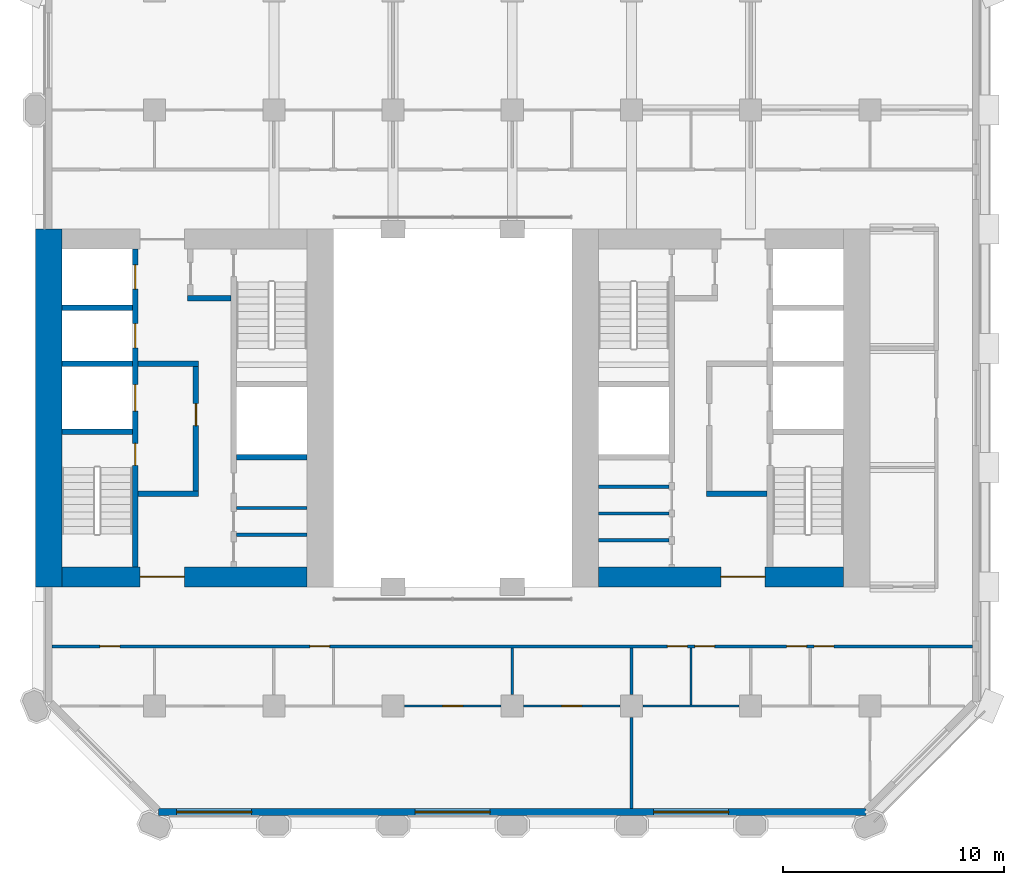
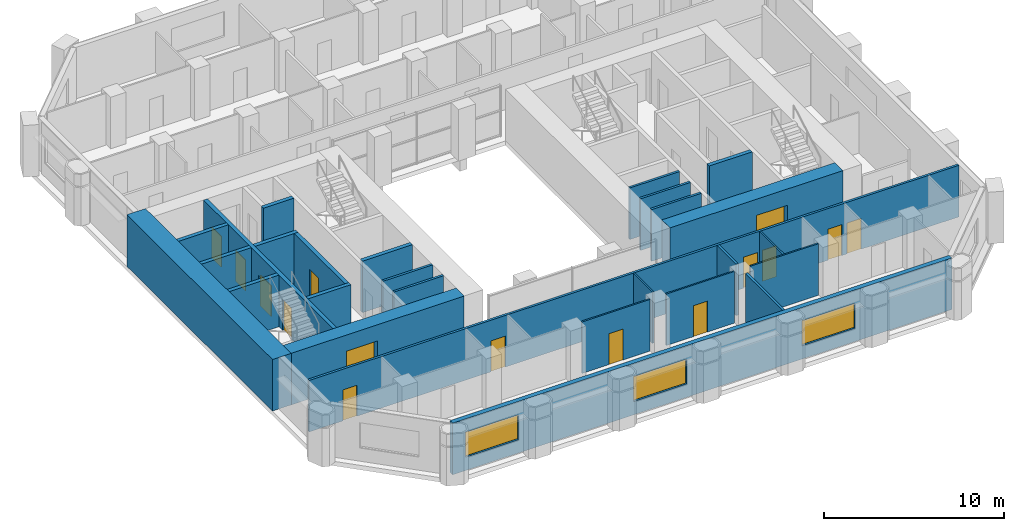
# One storey, part 4 of 11: 27 walls, 15 doors, 3 windows, 18 openings.
"""IFC4 building model written with IfcOpenShell, lengths in metres."""

from ifc_helpers import new_model, si_unit, direction, frame, frame_2d, origin, place, context, subcontext, project, spatial, rectangle, extrude, material, layer, layer_set, type_object, element, fill, save


model = new_model("IFC4")

# Units and contexts
model_context = context("Model", 3, precision=1e-05, world=origin(), true_north=direction((0.0, 1.0)))
body_context = subcontext(model_context, "Body", "Model", "MODEL_VIEW")
ifc_project = project(units=[si_unit("LENGTHUNIT", "METRE"), si_unit("AREAUNIT", "SQUARE_METRE"), si_unit("VOLUMEUNIT", "CUBIC_METRE"), si_unit("PLANEANGLEUNIT", "RADIAN"), si_unit("MASSUNIT", "GRAM", prefix="KILO")], contexts=[model_context])

# Site, building, storey
site_placement = place(None, origin())
site = spatial("IfcSite", under=ifc_project, at=site_placement, CompositionType="ELEMENT")
building_placement = place(site_placement, origin())
building = spatial("IfcBuilding", under=site, at=building_placement, Name="Tabaq Tower and Sports Hall", CompositionType="ELEMENT")
storey_placement = place(building_placement, frame((0.0, 0.0, 80.199951171875)))
storey = spatial("IfcBuildingStorey", under=building, at=storey_placement, Name="L18", CompositionType="ELEMENT", Elevation=80.199951171875)

# Walls
ifc_material_1 = material(Name="Blockwork", Category="masonry")
ifc_layer_1 = layer(ifc_material_1, 0.14990234375)
ifc_layer_set_1 = layer_set([ifc_layer_1], Name="Core room partition 150 Blockwork")
wall_type_1 = type_object("IfcWallType", Name="Core room partition 150 Blockwork", PredefinedType="PARTITIONING", material=ifc_layer_set_1)
for number, where, z_axis, x_axis, name in (
    (1, (14.5, 18.554931640625, 0.0), (0.0, 0.0, 1.0), (1.0, 0.0, 0.0), "Core room partition W L18"),
    (2, (14.5, 19.76708984375, 0.0), (0.0, 0.0, 1.0), (1.0, 0.0, 0.0), "Core room partition W L18"),
):
    element("IfcWall", number, at=place(storey_placement, frame(where, z_axis=z_axis, x_axis=x_axis)), inside=storey, type_object=wall_type_1, Name=name, PredefinedType="PARTITIONING", context=body_context, shape_type="SweptSolid", body=[
        extrude(rectangle(XDim=3.199951171875, YDim=0.14990234375, at=frame_2d((1.60009765625, 0.0))), origin(), (0.0, 0.0, 1.0), 3.5),
    ])
for number, where, z_axis, x_axis, name in (
    (3, (30.89990234375, 18.31201171875, 0.0), (0.0, 0.0, 1.0), (1.0, 0.0, 0.0), "Core room partition E L18"),
    (4, (30.89990234375, 19.52490234375, 0.0), (0.0, 0.0, 1.0), (1.0, 0.0, 0.0), "Core room partition E L18"),
    (5, (30.89990234375, 20.737060546875, 0.0), (0.0, 0.0, 1.0), (1.0, 0.0, 0.0), "Core room partition E L18"),
):
    element("IfcWall", number, at=place(storey_placement, frame(where, z_axis=z_axis, x_axis=x_axis)), inside=storey, type_object=wall_type_1, Name=name, PredefinedType="PARTITIONING", context=body_context, shape_type="SweptSolid", body=[
        extrude(rectangle(XDim=3.2001953125, YDim=0.14990234375, at=frame_2d((1.60009765625, 0.0))), origin(), (0.0, 0.0, 1.0), 3.5),
    ])
ifc_material_2 = material(Name="Concrete C60/75", Category="concrete")
ifc_layer_2 = layer(ifc_material_2, 1.199951171875)
ifc_layer_set_2 = layer_set([ifc_layer_2], Name="Core wall 1200 Concrete C60/75")
wall_type_2 = type_object("IfcWallType", Name="Core wall 1200 Concrete C60/75", PredefinedType="SOLIDWALL", material=ifc_layer_set_2)
wall_1_placement = place(storey_placement, frame((6.0, 16.199951171875, 0.0), z_axis=(0.0, 0.0, 1.0), x_axis=(0.0, 1.0, 0.0)))
element("IfcWall", 6, at=wall_1_placement, inside=storey, type_object=wall_type_2, Name="Core wall W L18", PredefinedType="SOLIDWALL", context=body_context, shape_type="SweptSolid", body=[
    extrude(rectangle(XDim=16.199951171875, YDim=1.199951171875, at=frame_2d((8.10009765625, 0.0))), origin(), (0.0, 0.0, 1.0), 3.5),
])

# Wall, opening, door
ifc_material_3 = material(Name="Concrete C60/75", Category="concrete")
ifc_layer_3 = layer(ifc_material_3, 0.89990234375)
ifc_layer_set_3 = layer_set([ifc_layer_3], Name="Core wall 900 Concrete C60/75")
wall_type_3 = type_object("IfcWallType", Name="Core wall 900 Concrete C60/75", PredefinedType="SOLIDWALL", material=ifc_layer_set_3)
wall_2_placement = place(storey_placement, frame((17.699951171875, 16.64990234375, 0.0), z_axis=(0.0, 0.0, 1.0), x_axis=(-1.0, 0.0, 0.0)))
wall_2 = element("IfcWall", 7, at=wall_2_placement, inside=storey, type_object=wall_type_3, Name="Core wall W L18", PredefinedType="SOLIDWALL", context=body_context, shape_type="SweptSolid", body=[
    extrude(rectangle(XDim=11.099853515625, YDim=0.89990234375, at=frame_2d((5.5498046875, 0.0))), origin(), (0.0, 0.0, 1.0), 3.5),
])
opening_1_placement = place(wall_2_placement, frame((5.550048828125, 0.0, 0.0)))
opening_1 = element("IfcOpeningElement", 8, at=opening_1_placement, cuts=wall_2, Name="Opening PD-WL18-01", PredefinedType="OPENING", context=body_context, shape_type="SweptSolid", body=[
    extrude(rectangle(XDim=2.0, YDim=2.39990234375, at=frame_2d((1.0, 1.199951171875))), frame((0.0, 0.449951171875, 0.0), z_axis=(0.0, -1.0, 0.0), x_axis=(1.0, 0.0, 0.0)), (0.0, 0.0, 1.0), 0.89990234375),
])
ifc_material_4 = material(Name="Steel fire door", Category="steel")
door_type_1 = type_object("IfcDoorType", Name="Core entrance door 2000", OperationType="DOUBLE_DOOR_SINGLE_SWING", PredefinedType="DOOR", material=ifc_material_4)
door_1_placement = place(opening_1_placement, origin())
door_1 = element("IfcDoor", 9, at=door_1_placement, inside=storey, type_object=door_type_1, Name="Core entrance south W L18", OperationType="DOUBLE_DOOR_SINGLE_SWING", OverallHeight=2.39990234375, OverallWidth=2.0, PredefinedType="DOOR", context=body_context, shape_type="SweptSolid", body=[
    extrude(rectangle(XDim=2.0, YDim=2.39990234375, at=frame_2d((1.0, 1.199951171875))), frame((0.0, 0.02490234375, 0.0), z_axis=(0.0, -1.0, 0.0), x_axis=(1.0, 0.0, 0.0)), (0.0, 0.0, 1.0), 0.050048828125),
])
fill(opening_1, door_1)

wall_3_placement = place(storey_placement, frame((42.0, 16.64990234375, 0.0), z_axis=(0.0, 0.0, 1.0), x_axis=(-1.0, 0.0, 0.0)))
wall_3 = element("IfcWall", 10, at=wall_3_placement, inside=storey, type_object=wall_type_3, Name="Core wall E L18", PredefinedType="SOLIDWALL", context=body_context, shape_type="SweptSolid", body=[
    extrude(rectangle(XDim=11.10009765625, YDim=0.89990234375, at=frame_2d((5.550048828125, 0.0))), origin(), (0.0, 0.0, 1.0), 3.5),
])
opening_2_placement = place(wall_3_placement, frame((3.550048828125, 0.0, 0.0)))
opening_2 = element("IfcOpeningElement", 11, at=opening_2_placement, cuts=wall_3, Name="Opening PD-EL18-01", PredefinedType="OPENING", context=body_context, shape_type="SweptSolid", body=[
    extrude(rectangle(XDim=2.0, YDim=2.39990234375, at=frame_2d((1.0, 1.199951171875))), frame((0.0, 0.449951171875, 0.0), z_axis=(0.0, -1.0, 0.0), x_axis=(1.0, 0.0, 0.0)), (0.0, 0.0, 1.0), 0.89990234375),
])
door_2_placement = place(opening_2_placement, origin())
door_2 = element("IfcDoor", 12, at=door_2_placement, inside=storey, type_object=door_type_1, Name="Core entrance south E L18", OperationType="DOUBLE_DOOR_SINGLE_SWING", OverallHeight=2.39990234375, OverallWidth=2.0, PredefinedType="DOOR", context=body_context, shape_type="SweptSolid", body=[
    extrude(rectangle(XDim=2.0, YDim=2.39990234375, at=frame_2d((1.0, 1.199951171875))), frame((0.0, 0.02490234375, 0.0), z_axis=(0.0, -1.0, 0.0), x_axis=(1.0, 0.0, 0.0)), (0.0, 0.0, 1.0), 0.050048828125),
])
fill(opening_2, door_2)

ifc_material_5 = material(Name="Gypsum board on steel studs", Category="steel")
ifc_layer_4 = layer(ifc_material_5, 0.10009765625)
ifc_layer_set_4 = layer_set([ifc_layer_4], Name="Partition 100 Gypsum board")
wall_type_4 = type_object("IfcWallType", Name="Partition 100 Gypsum board", PredefinedType="PARTITIONING", material=ifc_layer_set_4)
wall_4_placement = place(storey_placement, frame((22.1201171875, 10.800048828125, 0.0), z_axis=(0.0, 0.0, 1.0), x_axis=(1.0, 0.0, 0.0)))
wall_4 = element("IfcWall", 13, at=wall_4_placement, inside=storey, type_object=wall_type_4, Name="Partition wall L18", PredefinedType="PARTITIONING", context=body_context, shape_type="SweptSolid", body=[
    extrude(rectangle(XDim=4.35986328125, YDim=0.10009765625, at=frame_2d((2.179931640625, 0.0))), origin(), (0.0, 0.0, 1.0), 3.5),
])
opening_3_placement = place(wall_4_placement, frame((1.72998046875, 0.0, 0.0)))
opening_3 = element("IfcOpeningElement", 14, at=opening_3_placement, cuts=wall_4, Name="Opening L18-021", PredefinedType="OPENING", context=body_context, shape_type="SweptSolid", body=[
    extrude(rectangle(XDim=0.89990234375, YDim=2.10009765625, at=frame_2d((0.449951171875, 1.050048828125))), frame((0.0, 0.050048828125, 0.0), z_axis=(0.0, -1.0, 0.0), x_axis=(1.0, 0.0, 0.0)), (0.0, 0.0, 1.0), 0.10009765625),
])
ifc_material_6 = material(Name="Timber leaf in steel frame", Category="steel")
door_type_2 = type_object("IfcDoorType", Name="Internal door 900 left hand", OperationType="SINGLE_SWING_LEFT", PredefinedType="DOOR", material=ifc_material_6)
door_3_placement = place(opening_3_placement, origin())
door_3 = element("IfcDoor", 15, at=door_3_placement, inside=storey, type_object=door_type_2, Name="Internal door L18-021", OperationType="SINGLE_SWING_LEFT", OverallHeight=2.10009765625, OverallWidth=0.89990234375, PredefinedType="DOOR", context=body_context, shape_type="SweptSolid", body=[
    extrude(rectangle(XDim=0.89990234375, YDim=2.10009765625, at=frame_2d((0.449951171875, 1.050048828125))), frame((0.0, 0.02490234375, 0.0), z_axis=(0.0, -1.0, 0.0), x_axis=(1.0, 0.0, 0.0)), (0.0, 0.0, 1.0), 0.050048828125),
])
fill(opening_3, door_3)

# Wall
wall_5_placement = place(storey_placement, frame((27.0, 11.320068359375, 0.0), z_axis=(0.0, 0.0, 1.0), x_axis=(0.0, 1.0, 0.0)))
element("IfcWall", 16, at=wall_5_placement, inside=storey, type_object=wall_type_4, Name="Partition wall L18", PredefinedType="PARTITIONING", context=body_context, shape_type="SweptSolid", body=[
    extrude(rectangle(XDim=2.10498046875, YDim=0.10009765625, at=frame_2d((1.052490234375, 0.0))), origin(), (0.0, 0.0, 1.0), 3.5),
])

# Wall, opening, door
wall_6_placement = place(storey_placement, frame((27.52001953125, 10.800048828125, 0.0), z_axis=(0.0, 0.0, 1.0), x_axis=(1.0, 0.0, 0.0)))
wall_6 = element("IfcWall", 17, at=wall_6_placement, inside=storey, type_object=wall_type_4, Name="Partition wall L18", PredefinedType="PARTITIONING", context=body_context, shape_type="SweptSolid", body=[
    extrude(rectangle(XDim=4.35986328125, YDim=0.10009765625, at=frame_2d((2.179931640625, 0.0))), origin(), (0.0, 0.0, 1.0), 3.5),
])
opening_4_placement = place(wall_6_placement, frame((1.72998046875, 0.0, 0.0)))
opening_4 = element("IfcOpeningElement", 18, at=opening_4_placement, cuts=wall_6, Name="Opening L18-022", PredefinedType="OPENING", context=body_context, shape_type="SweptSolid", body=[
    extrude(rectangle(XDim=0.89990234375, YDim=2.10009765625, at=frame_2d((0.449951171875, 1.050048828125))), frame((0.0, 0.050048828125, 0.0), z_axis=(0.0, -1.0, 0.0), x_axis=(1.0, 0.0, 0.0)), (0.0, 0.0, 1.0), 0.10009765625),
])
ifc_material_7 = material(Name="Timber leaf in steel frame", Category="steel")
door_type_3 = type_object("IfcDoorType", Name="Internal door 900 right hand", OperationType="SINGLE_SWING_RIGHT", PredefinedType="DOOR", material=ifc_material_7)
door_4_placement = place(opening_4_placement, origin())
door_4 = element("IfcDoor", 19, at=door_4_placement, inside=storey, type_object=door_type_3, Name="Internal door L18-022", OperationType="SINGLE_SWING_RIGHT", OverallHeight=2.10009765625, OverallWidth=0.89990234375, PredefinedType="DOOR", context=body_context, shape_type="SweptSolid", body=[
    extrude(rectangle(XDim=0.89990234375, YDim=2.10009765625, at=frame_2d((0.449951171875, 1.050048828125))), frame((0.0, 0.02490234375, 0.0), z_axis=(0.0, -1.0, 0.0), x_axis=(1.0, 0.0, 0.0)), (0.0, 0.0, 1.0), 0.050048828125),
])
fill(opening_4, door_4)

# Walls
wall_7_placement = place(storey_placement, frame((35.10009765625, 10.85009765625, 0.0), z_axis=(0.0, 0.0, 1.0), x_axis=(0.0, 1.0, 0.0)))
element("IfcWall", 20, at=wall_7_placement, inside=storey, type_object=wall_type_4, Name="Partition wall L18", PredefinedType="PARTITIONING", context=body_context, shape_type="SweptSolid", body=[
    extrude(rectangle(XDim=2.574951171875, YDim=0.10009765625, at=frame_2d((1.28759765625, 0.0))), origin(), (0.0, 0.0, 1.0), 3.5),
])
wall_8_placement = place(storey_placement, frame((32.919921875, 10.800048828125, 0.0), z_axis=(0.0, 0.0, 1.0), x_axis=(1.0, 0.0, 0.0)))
element("IfcWall", 21, at=wall_8_placement, inside=storey, type_object=wall_type_4, Name="Partition wall L18", PredefinedType="PARTITIONING", context=body_context, shape_type="SweptSolid", body=[
    extrude(rectangle(XDim=4.360107421875, YDim=0.10009765625, at=frame_2d((2.18017578125, 0.0))), origin(), (0.0, 0.0, 1.0), 3.5),
])

# Wall, openings, doors
ifc_material_8 = material(Name="Blockwork", Category="masonry")
ifc_layer_5 = layer(ifc_material_8, 0.14990234375)
ifc_layer_set_5 = layer_set([ifc_layer_5], Name="Separating wall 150 Blockwork")
wall_type_5 = type_object("IfcWallType", Name="Separating wall 150 Blockwork", PredefinedType="PARTITIONING", material=ifc_layer_set_5)
wall_9_placement = place(storey_placement, frame((6.15087890625, 13.5, 0.0), z_axis=(0.0, 0.0, 1.0), x_axis=(1.0, 0.0, 0.0)))
wall_9 = element("IfcWall", 22, at=wall_9_placement, inside=storey, type_object=wall_type_5, Name="Separating wall L18", PredefinedType="PARTITIONING", context=body_context, shape_type="SweptSolid", body=[
    extrude(rectangle(XDim=41.6982421875, YDim=0.14990234375, at=frame_2d((20.84912109375, 0.0))), origin(), (0.0, 0.0, 1.0), 3.5),
])
opening_5_placement = place(wall_9_placement, frame((11.678955078125, 0.0, 0.0)))
opening_5 = element("IfcOpeningElement", 23, at=opening_5_placement, cuts=wall_9, Name="Opening L18-005", PredefinedType="OPENING", context=body_context, shape_type="SweptSolid", body=[
    extrude(rectangle(XDim=0.89990234375, YDim=2.10009765625, at=frame_2d((0.449951171875, 1.050048828125))), frame((0.0, 0.074951171875, 0.0), z_axis=(0.0, -1.0, 0.0), x_axis=(1.0, 0.0, 0.0)), (0.0, 0.0, 1.0), 0.14990234375),
])
opening_6_placement = place(wall_9_placement, frame((27.87890625, 0.0, 0.0)))
opening_6 = element("IfcOpeningElement", 24, at=opening_6_placement, cuts=wall_9, Name="Opening L18-006", PredefinedType="OPENING", context=body_context, shape_type="SweptSolid", body=[
    extrude(rectangle(XDim=0.89990234375, YDim=2.10009765625, at=frame_2d((0.449951171875, 1.050048828125))), frame((0.0, 0.074951171875, 0.0), z_axis=(0.0, -1.0, 0.0), x_axis=(1.0, 0.0, 0.0)), (0.0, 0.0, 1.0), 0.14990234375),
])
opening_7_placement = place(wall_9_placement, frame((29.118896484375, 0.0, 0.0)))
opening_7 = element("IfcOpeningElement", 25, at=opening_7_placement, cuts=wall_9, Name="Opening L18-007", PredefinedType="OPENING", context=body_context, shape_type="SweptSolid", body=[
    extrude(rectangle(XDim=0.89990234375, YDim=2.10009765625, at=frame_2d((0.449951171875, 1.050048828125))), frame((0.0, 0.074951171875, 0.0), z_axis=(0.0, -1.0, 0.0), x_axis=(1.0, 0.0, 0.0)), (0.0, 0.0, 1.0), 0.14990234375),
])
opening_8_placement = place(wall_9_placement, frame((33.279052734375, 0.0, 0.0)))
opening_8 = element("IfcOpeningElement", 26, at=opening_8_placement, cuts=wall_9, Name="Opening L18-008", PredefinedType="OPENING", context=body_context, shape_type="SweptSolid", body=[
    extrude(rectangle(XDim=0.89990234375, YDim=2.10009765625, at=frame_2d((0.449951171875, 1.050048828125))), frame((0.0, 0.074951171875, 0.0), z_axis=(0.0, -1.0, 0.0), x_axis=(1.0, 0.0, 0.0)), (0.0, 0.0, 1.0), 0.14990234375),
])
opening_9_placement = place(wall_9_placement, frame((2.174072265625, 0.0, 0.0)))
opening_9 = element("IfcOpeningElement", 27, at=opening_9_placement, cuts=wall_9, Name="Opening L18-028", PredefinedType="OPENING", context=body_context, shape_type="SweptSolid", body=[
    extrude(rectangle(XDim=0.89990234375, YDim=2.10009765625, at=frame_2d((0.449951171875, 1.050048828125))), frame((0.0, 0.074951171875, 0.0), z_axis=(0.0, -1.0, 0.0), x_axis=(1.0, 0.0, 0.0)), (0.0, 0.0, 1.0), 0.14990234375),
])
opening_10_placement = place(wall_9_placement, frame((34.51904296875, 0.0, 0.0)))
opening_10 = element("IfcOpeningElement", 28, at=opening_10_placement, cuts=wall_9, Name="Opening L18-034", PredefinedType="OPENING", context=body_context, shape_type="SweptSolid", body=[
    extrude(rectangle(XDim=0.89990234375, YDim=2.10009765625, at=frame_2d((0.449951171875, 1.050048828125))), frame((0.0, 0.074951171875, 0.0), z_axis=(0.0, -1.0, 0.0), x_axis=(1.0, 0.0, 0.0)), (0.0, 0.0, 1.0), 0.14990234375),
])
ifc_material_9 = material(Name="Steel fire door", Category="steel")
door_type_4 = type_object("IfcDoorType", Name="Entrance door 900 right hand", OperationType="SINGLE_SWING_RIGHT", PredefinedType="DOOR", material=ifc_material_9)
door_5_placement = place(opening_5_placement, origin())
door_5 = element("IfcDoor", 29, at=door_5_placement, inside=storey, type_object=door_type_4, Name="Entrance door L18-005", OperationType="SINGLE_SWING_RIGHT", OverallHeight=2.10009765625, OverallWidth=0.89990234375, PredefinedType="DOOR", context=body_context, shape_type="SweptSolid", body=[
    extrude(rectangle(XDim=0.89990234375, YDim=2.10009765625, at=frame_2d((0.449951171875, 1.050048828125))), frame((0.0, 0.02490234375, 0.0), z_axis=(0.0, -1.0, 0.0), x_axis=(1.0, 0.0, 0.0)), (0.0, 0.0, 1.0), 0.050048828125),
])
fill(opening_5, door_5)
door_6_placement = place(opening_6_placement, origin())
door_6 = element("IfcDoor", 30, at=door_6_placement, inside=storey, type_object=door_type_4, Name="Entrance door L18-006", OperationType="SINGLE_SWING_RIGHT", OverallHeight=2.10009765625, OverallWidth=0.89990234375, PredefinedType="DOOR", context=body_context, shape_type="SweptSolid", body=[
    extrude(rectangle(XDim=0.89990234375, YDim=2.10009765625, at=frame_2d((0.449951171875, 1.050048828125))), frame((0.0, 0.02490234375, 0.0), z_axis=(0.0, -1.0, 0.0), x_axis=(1.0, 0.0, 0.0)), (0.0, 0.0, 1.0), 0.050048828125),
])
fill(opening_6, door_6)
door_7_placement = place(opening_7_placement, origin())
door_7 = element("IfcDoor", 31, at=door_7_placement, inside=storey, type_object=door_type_4, Name="Entrance door L18-007", OperationType="SINGLE_SWING_RIGHT", OverallHeight=2.10009765625, OverallWidth=0.89990234375, PredefinedType="DOOR", context=body_context, shape_type="SweptSolid", body=[
    extrude(rectangle(XDim=0.89990234375, YDim=2.10009765625, at=frame_2d((0.449951171875, 1.050048828125))), frame((0.0, 0.02490234375, 0.0), z_axis=(0.0, -1.0, 0.0), x_axis=(1.0, 0.0, 0.0)), (0.0, 0.0, 1.0), 0.050048828125),
])
fill(opening_7, door_7)
door_8_placement = place(opening_8_placement, origin())
door_8 = element("IfcDoor", 32, at=door_8_placement, inside=storey, type_object=door_type_4, Name="Entrance door L18-008", OperationType="SINGLE_SWING_RIGHT", OverallHeight=2.10009765625, OverallWidth=0.89990234375, PredefinedType="DOOR", context=body_context, shape_type="SweptSolid", body=[
    extrude(rectangle(XDim=0.89990234375, YDim=2.10009765625, at=frame_2d((0.449951171875, 1.050048828125))), frame((0.0, 0.02490234375, 0.0), z_axis=(0.0, -1.0, 0.0), x_axis=(1.0, 0.0, 0.0)), (0.0, 0.0, 1.0), 0.050048828125),
])
fill(opening_8, door_8)
door_9_placement = place(opening_9_placement, origin())
door_9 = element("IfcDoor", 33, at=door_9_placement, inside=storey, type_object=door_type_4, Name="Entrance door L18-028", OperationType="SINGLE_SWING_RIGHT", OverallHeight=2.10009765625, OverallWidth=0.89990234375, PredefinedType="DOOR", context=body_context, shape_type="SweptSolid", body=[
    extrude(rectangle(XDim=0.89990234375, YDim=2.10009765625, at=frame_2d((0.449951171875, 1.050048828125))), frame((0.0, 0.02490234375, 0.0), z_axis=(0.0, -1.0, 0.0), x_axis=(1.0, 0.0, 0.0)), (0.0, 0.0, 1.0), 0.050048828125),
])
fill(opening_9, door_9)
door_10_placement = place(opening_10_placement, origin())
door_10 = element("IfcDoor", 34, at=door_10_placement, inside=storey, type_object=door_type_4, Name="Entrance door L18-034", OperationType="SINGLE_SWING_RIGHT", OverallHeight=2.10009765625, OverallWidth=0.89990234375, PredefinedType="DOOR", context=body_context, shape_type="SweptSolid", body=[
    extrude(rectangle(XDim=0.89990234375, YDim=2.10009765625, at=frame_2d((0.449951171875, 1.050048828125))), frame((0.0, 0.02490234375, 0.0), z_axis=(0.0, -1.0, 0.0), x_axis=(1.0, 0.0, 0.0)), (0.0, 0.0, 1.0), 0.050048828125),
])
fill(opening_10, door_10)

# Walls
wall_10_placement = place(storey_placement, frame((32.39990234375, 11.320068359375, 0.0), z_axis=(0.0, 0.0, 1.0), x_axis=(0.0, 1.0, 0.0)))
element("IfcWall", 35, at=wall_10_placement, inside=storey, type_object=wall_type_5, Name="Separating wall L18", PredefinedType="PARTITIONING", context=body_context, shape_type="SweptSolid", body=[
    extrude(rectangle(XDim=2.10498046875, YDim=0.14990234375, at=frame_2d((1.052490234375, 0.0))), origin(), (0.0, 0.0, 1.0), 3.5),
])
wall_11_placement = place(storey_placement, frame((32.39990234375, 6.15087890625, 0.0), z_axis=(0.0, 0.0, 1.0), x_axis=(0.0, 1.0, 0.0)))
element("IfcWall", 36, at=wall_11_placement, inside=storey, type_object=wall_type_5, Name="Separating wall L18", PredefinedType="PARTITIONING", context=body_context, shape_type="SweptSolid", body=[
    extrude(rectangle(XDim=4.129150390625, YDim=0.14990234375, at=frame_2d((2.064453125, 0.0))), origin(), (0.0, 0.0, 1.0), 3.5),
])

# Wall, openings, doors
ifc_material_10 = material(Name="Concrete C40/50", Category="concrete")
ifc_layer_6 = layer(ifc_material_10, 0.25)
ifc_layer_set_6 = layer_set([ifc_layer_6], Name="Shaft and stair wall 250 Concrete C40/50")
wall_type_6 = type_object("IfcWallType", Name="Shaft and stair wall 250 Concrete C40/50", PredefinedType="SOLIDWALL", material=ifc_layer_set_6)
wall_12_placement = place(storey_placement, frame((9.925048828125, 17.10009765625, 0.0), z_axis=(0.0, 0.0, 1.0), x_axis=(0.0, 1.0, 0.0)))
wall_12 = element("IfcWall", 37, at=wall_12_placement, inside=storey, type_object=wall_type_6, Name="Shaft wall W L18", PredefinedType="SOLIDWALL", context=body_context, shape_type="SweptSolid", body=[
    extrude(rectangle(XDim=14.39990234375, YDim=0.25, at=frame_2d((7.199951171875, 0.0))), origin(), (0.0, 0.0, 1.0), 3.5),
])
opening_11_placement = place(wall_12_placement, frame((4.60009765625, 0.0, 0.0)))
opening_11 = element("IfcOpeningElement", 38, at=opening_11_placement, cuts=wall_12, Name="Opening SD-WL18-03", PredefinedType="OPENING", context=body_context, shape_type="SweptSolid", body=[
    extrude(rectangle(XDim=1.0, YDim=2.10009765625, at=frame_2d((0.5, 1.050048828125))), frame((0.0, 0.125, 0.0), z_axis=(0.0, -1.0, 0.0), x_axis=(1.0, 0.0, 0.0)), (0.0, 0.0, 1.0), 0.25),
])
opening_12_placement = place(wall_12_placement, frame((7.0625, 0.0, 0.0)))
opening_12 = element("IfcOpeningElement", 39, at=opening_12_placement, cuts=wall_12, Name="Opening LD-FF1-L18", PredefinedType="OPENING", context=body_context, shape_type="SweptSolid", body=[
    extrude(rectangle(XDim=1.199951171875, YDim=2.10009765625, at=frame_2d((0.60009765625, 1.050048828125))), frame((0.0, 0.125, 0.0), z_axis=(0.0, -1.0, 0.0), x_axis=(1.0, 0.0, 0.0)), (0.0, 0.0, 1.0), 0.25),
])
opening_13_placement = place(wall_12_placement, frame((9.925048828125, 0.0, 0.0)))
opening_13 = element("IfcOpeningElement", 40, at=opening_13_placement, cuts=wall_12, Name="Opening LD-LR1-L18", PredefinedType="OPENING", context=body_context, shape_type="SweptSolid", body=[
    extrude(rectangle(XDim=1.10009765625, YDim=2.10009765625, at=frame_2d((0.550048828125, 1.050048828125))), frame((0.0, 0.125, 0.0), z_axis=(0.0, -1.0, 0.0), x_axis=(1.0, 0.0, 0.0)), (0.0, 0.0, 1.0), 0.25),
])
opening_14_placement = place(wall_12_placement, frame((12.58740234375, 0.0, 0.0)))
opening_14 = element("IfcOpeningElement", 41, at=opening_14_placement, cuts=wall_12, Name="Opening LD-LR2-L18", PredefinedType="OPENING", context=body_context, shape_type="SweptSolid", body=[
    extrude(rectangle(XDim=1.10009765625, YDim=2.10009765625, at=frame_2d((0.550048828125, 1.050048828125))), frame((0.0, 0.125, 0.0), z_axis=(0.0, -1.0, 0.0), x_axis=(1.0, 0.0, 0.0)), (0.0, 0.0, 1.0), 0.25),
])
ifc_material_11 = material(Name="Stainless steel", Category="steel")
door_type_5 = type_object("IfcDoorType", Name="Lift landing door 1100", OperationType="DOUBLE_DOOR_SLIDING", PredefinedType="DOOR", material=ifc_material_11)
door_11_placement = place(opening_13_placement, origin())
door_11 = element("IfcDoor", 42, at=door_11_placement, inside=storey, type_object=door_type_5, Name="Lift landing door LR1 W L18", OperationType="DOUBLE_DOOR_SLIDING", OverallHeight=2.10009765625, OverallWidth=1.10009765625, PredefinedType="DOOR", context=body_context, shape_type="SweptSolid", body=[
    extrude(rectangle(XDim=1.10009765625, YDim=2.10009765625, at=frame_2d((0.550048828125, 1.050048828125))), frame((0.0, 0.02490234375, 0.0), z_axis=(0.0, -1.0, 0.0), x_axis=(1.0, 0.0, 0.0)), (0.0, 0.0, 1.0), 0.050048828125),
])
fill(opening_13, door_11)
door_12_placement = place(opening_14_placement, origin())
door_12 = element("IfcDoor", 43, at=door_12_placement, inside=storey, type_object=door_type_5, Name="Lift landing door LR2 W L18", OperationType="DOUBLE_DOOR_SLIDING", OverallHeight=2.10009765625, OverallWidth=1.10009765625, PredefinedType="DOOR", context=body_context, shape_type="SweptSolid", body=[
    extrude(rectangle(XDim=1.10009765625, YDim=2.10009765625, at=frame_2d((0.550048828125, 1.050048828125))), frame((0.0, 0.02490234375, 0.0), z_axis=(0.0, -1.0, 0.0), x_axis=(1.0, 0.0, 0.0)), (0.0, 0.0, 1.0), 0.050048828125),
])
fill(opening_14, door_12)
ifc_material_12 = material(Name="Stainless steel", Category="steel")
door_type_6 = type_object("IfcDoorType", Name="Lift landing door 1200", OperationType="DOUBLE_DOOR_SLIDING", PredefinedType="DOOR", material=ifc_material_12)
door_13_placement = place(opening_12_placement, origin())
door_13 = element("IfcDoor", 44, at=door_13_placement, inside=storey, type_object=door_type_6, Name="Lift landing door FF1 W L18", OperationType="DOUBLE_DOOR_SLIDING", OverallHeight=2.10009765625, OverallWidth=1.199951171875, PredefinedType="DOOR", context=body_context, shape_type="SweptSolid", body=[
    extrude(rectangle(XDim=1.199951171875, YDim=2.10009765625, at=frame_2d((0.60009765625, 1.050048828125))), frame((0.0, 0.02490234375, 0.0), z_axis=(0.0, -1.0, 0.0), x_axis=(1.0, 0.0, 0.0)), (0.0, 0.0, 1.0), 0.050048828125),
])
fill(opening_12, door_13)
ifc_material_13 = material(Name="Steel fire door", Category="steel")
door_type_7 = type_object("IfcDoorType", Name="Stair door 1000", OperationType="SINGLE_SWING_LEFT", PredefinedType="DOOR", material=ifc_material_13)
door_14_placement = place(opening_11_placement, origin())
door_14 = element("IfcDoor", 45, at=door_14_placement, inside=storey, type_object=door_type_7, Name="Stair door ST1 W L18", OperationType="SINGLE_SWING_LEFT", OverallHeight=2.10009765625, OverallWidth=1.0, PredefinedType="DOOR", context=body_context, shape_type="SweptSolid", body=[
    extrude(rectangle(XDim=1.0, YDim=2.10009765625, at=frame_2d((0.5, 1.050048828125))), frame((0.0, 0.02490234375, 0.0), z_axis=(0.0, -1.0, 0.0), x_axis=(1.0, 0.0, 0.0)), (0.0, 0.0, 1.0), 0.050048828125),
])
fill(opening_11, door_14)

# Walls
for number, where, z_axis, x_axis, name in (
    (46, (6.60009765625, 23.22509765625, 0.0), (0.0, 0.0, 1.0), (1.0, 0.0, 0.0), "Stair enclosure wall W L18"),
    (47, (14.5, 22.074951171875, 0.0), (0.0, 0.0, 1.0), (1.0, 0.0, 0.0), "Shaft wall W L18"),
    (48, (6.60009765625, 26.300048828125, 0.0), (0.0, 0.0, 1.0), (1.0, 0.0, 0.0), "Shaft wall W L18"),
):
    element("IfcWall", number, at=place(storey_placement, frame(where, z_axis=z_axis, x_axis=x_axis)), inside=storey, type_object=wall_type_6, Name=name, PredefinedType="SOLIDWALL", context=body_context, shape_type="SweptSolid", body=[
        extrude(rectangle(XDim=3.199951171875, YDim=0.25, at=frame_2d((1.60009765625, 0.0))), origin(), (0.0, 0.0, 1.0), 3.5),
    ])
for number, where, z_axis, x_axis, name in (
    (49, (10.050048828125, 26.300048828125, 0.0), (0.0, 0.0, 1.0), (1.0, 0.0, 0.0), "Fire-fighting lobby wall W L18"),
    (50, (10.050048828125, 20.425048828125, 0.0), (0.0, 0.0, 1.0), (1.0, 0.0, 0.0), "Fire-fighting lobby wall W L18"),
):
    element("IfcWall", number, at=place(storey_placement, frame(where, z_axis=z_axis, x_axis=x_axis)), inside=storey, type_object=wall_type_6, Name=name, PredefinedType="SOLIDWALL", context=body_context, shape_type="SweptSolid", body=[
        extrude(rectangle(XDim=2.75, YDim=0.25, at=frame_2d((1.375, 0.0))), origin(), (0.0, 0.0, 1.0), 3.5),
    ])
wall_13_placement = place(storey_placement, frame((12.300048828125, 29.27490234375, 0.0), z_axis=(0.0, 0.0, 1.0), x_axis=(1.0, 0.0, 0.0)))
element("IfcWall", 51, at=wall_13_placement, inside=storey, type_object=wall_type_6, Name="Fire-fighting lobby wall W L18", PredefinedType="SOLIDWALL", context=body_context, shape_type="SweptSolid", body=[
    extrude(rectangle(XDim=1.949951171875, YDim=0.25, at=frame_2d((0.97509765625, 0.0))), origin(), (0.0, 0.0, 1.0), 3.5),
])

# Wall, opening, door
wall_14_placement = place(storey_placement, frame((12.675048828125, 20.550048828125, 0.0), z_axis=(0.0, 0.0, 1.0), x_axis=(0.0, 1.0, 0.0)))
wall_14 = element("IfcWall", 52, at=wall_14_placement, inside=storey, type_object=wall_type_6, Name="Fire-fighting lobby wall W L18", PredefinedType="SOLIDWALL", context=body_context, shape_type="SweptSolid", body=[
    extrude(rectangle(XDim=5.625, YDim=0.25, at=frame_2d((2.8125, 0.0))), origin(), (0.0, 0.0, 1.0), 3.5),
])
opening_15_placement = place(wall_14_placement, frame((2.949951171875, 0.0, 0.0)))
opening_15 = element("IfcOpeningElement", 53, at=opening_15_placement, cuts=wall_14, Name="Opening FD-WL18-04", PredefinedType="OPENING", context=body_context, shape_type="SweptSolid", body=[
    extrude(rectangle(XDim=1.0, YDim=2.10009765625, at=frame_2d((0.5, 1.050048828125))), frame((0.0, 0.125, 0.0), z_axis=(0.0, -1.0, 0.0), x_axis=(1.0, 0.0, 0.0)), (0.0, 0.0, 1.0), 0.25),
])
ifc_material_14 = material(Name="Steel fire door", Category="steel")
door_type_8 = type_object("IfcDoorType", Name="Fire-fighting lobby door 1000", OperationType="SINGLE_SWING_LEFT", PredefinedType="DOOR", material=ifc_material_14)
door_15_placement = place(opening_15_placement, origin())
door_15 = element("IfcDoor", 54, at=door_15_placement, inside=storey, type_object=door_type_8, Name="Fire-fighting lobby door W L18", OperationType="SINGLE_SWING_LEFT", OverallHeight=2.10009765625, OverallWidth=1.0, PredefinedType="DOOR", context=body_context, shape_type="SweptSolid", body=[
    extrude(rectangle(XDim=1.0, YDim=2.10009765625, at=frame_2d((0.5, 1.050048828125))), frame((0.0, 0.02490234375, 0.0), z_axis=(0.0, -1.0, 0.0), x_axis=(1.0, 0.0, 0.0)), (0.0, 0.0, 1.0), 0.050048828125),
])
fill(opening_15, door_15)

# Walls
wall_15_placement = place(storey_placement, frame((6.60009765625, 28.85009765625, 0.0), z_axis=(0.0, 0.0, 1.0), x_axis=(1.0, 0.0, 0.0)))
element("IfcWall", 55, at=wall_15_placement, inside=storey, type_object=wall_type_6, Name="Shaft wall W L18", PredefinedType="SOLIDWALL", context=body_context, shape_type="SweptSolid", body=[
    extrude(rectangle(XDim=3.199951171875, YDim=0.25, at=frame_2d((1.60009765625, 0.0))), origin(), (0.0, 0.0, 1.0), 3.5),
])
wall_16_placement = place(storey_placement, frame((35.800048828125, 20.425048828125, 0.0), z_axis=(0.0, 0.0, 1.0), x_axis=(1.0, 0.0, 0.0)))
element("IfcWall", 56, at=wall_16_placement, inside=storey, type_object=wall_type_6, Name="Fire-fighting lobby wall E L18", PredefinedType="SOLIDWALL", context=body_context, shape_type="SweptSolid", body=[
    extrude(rectangle(XDim=2.75, YDim=0.25, at=frame_2d((1.375, 0.0))), origin(), (0.0, 0.0, 1.0), 3.5),
])

# Wall, openings, windows
ifc_material_15 = material(Name="White precast concrete C60/75", Category="concrete")
ifc_layer_7 = layer(ifc_material_15, 0.300048828125)
ifc_layer_set_7 = layer_set([ifc_layer_7], Name="White precast concrete C60/75 external wall 300")
wall_type_7 = type_object("IfcWallType", Name="White precast concrete C60/75 external wall 300", PredefinedType="SOLIDWALL", material=ifc_layer_set_7)
wall_17_placement = place(storey_placement, frame((10.986328125, 6.0, 0.0), z_axis=(0.0, 0.0, 1.0), x_axis=(1.0, 0.0, 0.0)))
wall_17 = element("IfcWall", 57, at=wall_17_placement, inside=storey, type_object=wall_type_7, Name="External Wall L18 S", PredefinedType="SOLIDWALL", context=body_context, shape_type="SweptSolid", body=[
    extrude(rectangle(XDim=32.02734375, YDim=0.300048828125, at=frame_2d((16.013671875, 0.0))), origin(), (0.0, 0.0, 1.0), 3.5),
])
opening_16_placement = place(wall_17_placement, frame((0.813720703125, 0.0, 0.89990234375)))
opening_16 = element("IfcOpeningElement", 58, at=opening_16_placement, cuts=wall_17, Name="Opening W1A", PredefinedType="OPENING", context=body_context, shape_type="SweptSolid", body=[
    extrude(rectangle(XDim=3.39990234375, YDim=1.699951171875, at=frame_2d((1.699951171875, 0.85009765625))), frame((0.0, 0.16015625, 0.0), z_axis=(0.0, -1.0, 0.0), x_axis=(1.0, 0.0, 0.0)), (0.0, 0.0, 1.0), 0.320068359375),
])
opening_17_placement = place(wall_17_placement, frame((11.613525390625, 0.0, 0.89990234375)))
opening_17 = element("IfcOpeningElement", 59, at=opening_17_placement, cuts=wall_17, Name="Opening W1A", PredefinedType="OPENING", context=body_context, shape_type="SweptSolid", body=[
    extrude(rectangle(XDim=3.39990234375, YDim=1.699951171875, at=frame_2d((1.699951171875, 0.85009765625))), frame((0.0, 0.16015625, 0.0), z_axis=(0.0, -1.0, 0.0), x_axis=(1.0, 0.0, 0.0)), (0.0, 0.0, 1.0), 0.320068359375),
])
opening_18_placement = place(wall_17_placement, frame((22.41357421875, 0.0, 0.89990234375)))
opening_18 = element("IfcOpeningElement", 60, at=opening_18_placement, cuts=wall_17, Name="Opening W1A", PredefinedType="OPENING", context=body_context, shape_type="SweptSolid", body=[
    extrude(rectangle(XDim=3.39990234375, YDim=1.699951171875, at=frame_2d((1.699951171875, 0.85009765625))), frame((0.0, 0.16015625, 0.0), z_axis=(0.0, -1.0, 0.0), x_axis=(1.0, 0.0, 0.0)), (0.0, 0.0, 1.0), 0.320068359375),
])
ifc_material_16 = material(Name="Aluminium framed clear glazing", Category="aluminium")
window_type = type_object("IfcWindowType", Name="Window W1A", PartitioningType="SINGLE_PANEL", PredefinedType="WINDOW", material=ifc_material_16)
window_1_placement = place(opening_16_placement, origin())
window_1 = element("IfcWindow", 61, at=window_1_placement, inside=storey, type_object=window_type, Name="Window W1A L18", OverallHeight=1.699951171875, OverallWidth=3.39990234375, PartitioningType="SINGLE_PANEL", PredefinedType="WINDOW", context=body_context, shape_type="SweptSolid", body=[
    extrude(rectangle(XDim=3.39990234375, YDim=1.699951171875, at=frame_2d((1.699951171875, 0.85009765625))), frame((0.0, 0.030029296875, 0.0), z_axis=(0.0, -1.0, 0.0), x_axis=(1.0, 0.0, 0.0)), (0.0, 0.0, 1.0), 0.06005859375),
])
fill(opening_16, window_1)
window_2_placement = place(opening_17_placement, origin())
window_2 = element("IfcWindow", 62, at=window_2_placement, inside=storey, type_object=window_type, Name="Window W1A L18", OverallHeight=1.699951171875, OverallWidth=3.39990234375, PartitioningType="SINGLE_PANEL", PredefinedType="WINDOW", context=body_context, shape_type="SweptSolid", body=[
    extrude(rectangle(XDim=3.39990234375, YDim=1.699951171875, at=frame_2d((1.699951171875, 0.85009765625))), frame((0.0, 0.030029296875, 0.0), z_axis=(0.0, -1.0, 0.0), x_axis=(1.0, 0.0, 0.0)), (0.0, 0.0, 1.0), 0.06005859375),
])
fill(opening_17, window_2)
window_3_placement = place(opening_18_placement, origin())
window_3 = element("IfcWindow", 63, at=window_3_placement, inside=storey, type_object=window_type, Name="Window W1A L18", OverallHeight=1.699951171875, OverallWidth=3.39990234375, PartitioningType="SINGLE_PANEL", PredefinedType="WINDOW", context=body_context, shape_type="SweptSolid", body=[
    extrude(rectangle(XDim=3.39990234375, YDim=1.699951171875, at=frame_2d((1.699951171875, 0.85009765625))), frame((0.0, 0.030029296875, 0.0), z_axis=(0.0, -1.0, 0.0), x_axis=(1.0, 0.0, 0.0)), (0.0, 0.0, 1.0), 0.06005859375),
])
fill(opening_18, window_3)

save(model, "model.ifc")
